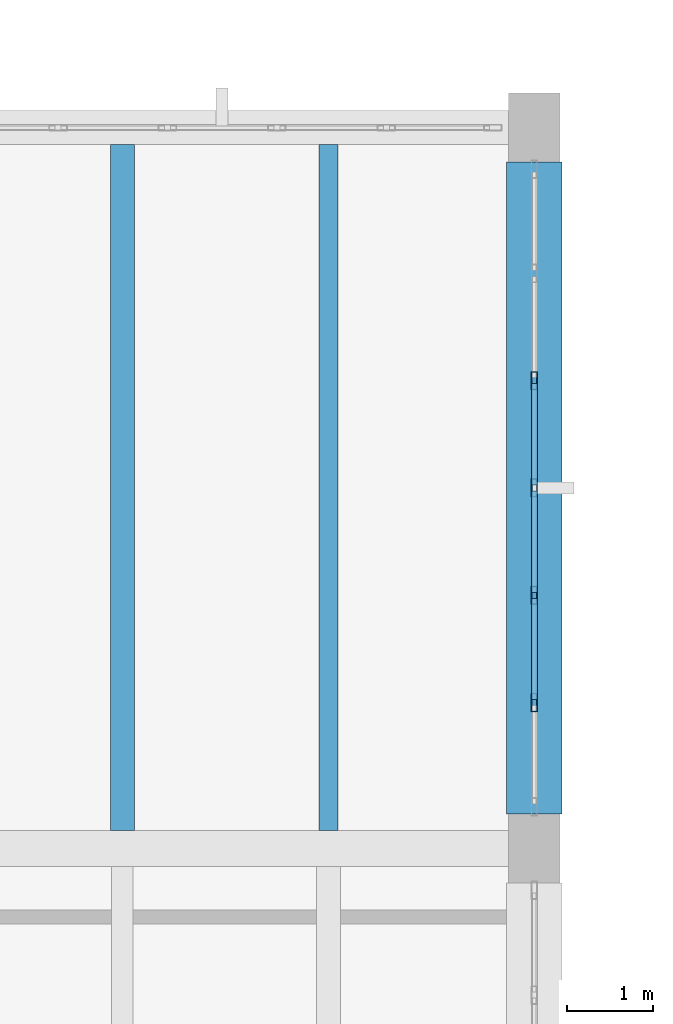
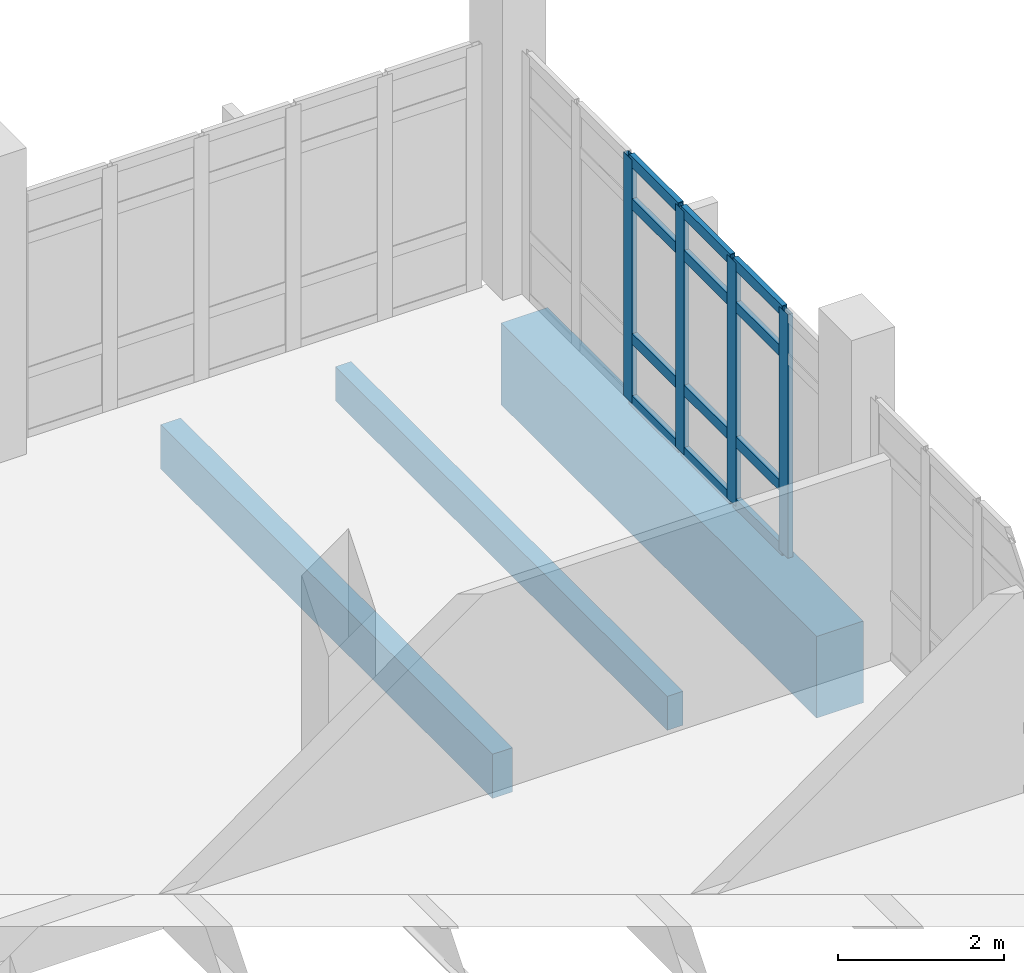
# One storey, part 77 of 124: 16 members, 3 beams, 1 element without a shape of its own.
"""IFC4 building model written with IfcOpenShell, lengths in metres."""

from ifc_helpers import new_model, si_unit, direction, frame, origin, origin_2d, place, context, subcontext, project, spatial, rectangle, hollow_rectangle, extrude, material, material_profile, profile_set, type_object, element, aggregate, save


model = new_model("IFC4")

# Units and contexts
model_context = context("Model", 3, precision=1e-05, world=origin(), true_north=direction((0.0, 1.0)))
body_context = subcontext(model_context, "Body", "Model", "MODEL_VIEW")
ifc_project = project(units=[si_unit("LENGTHUNIT", "METRE"), si_unit("AREAUNIT", "SQUARE_METRE"), si_unit("VOLUMEUNIT", "CUBIC_METRE"), si_unit("PLANEANGLEUNIT", "RADIAN"), si_unit("MASSUNIT", "GRAM", prefix="KILO")], contexts=[model_context])

# Site, building, storey
site_placement = place(None, origin())
site = spatial("IfcSite", under=ifc_project, at=site_placement, CompositionType="ELEMENT")
building_placement = place(site_placement, origin())
building = spatial("IfcBuilding", under=site, at=building_placement, Name="Kalluvel Institute of Natural Sciences", CompositionType="ELEMENT")
storey_placement = place(building_placement, frame((0.0, 0.0, 9.89990234375)))
storey = spatial("IfcBuildingStorey", under=building, at=storey_placement, Name="L02", CompositionType="ELEMENT", Elevation=9.89990234375)

# Beam
ifc_material_1 = material(Name="Concrete M50", Category="concrete")
ifc_material_profile_1 = material_profile(ifc_material_1, rectangle(XDim=0.64990234375, YDim=1.199951171875, at=origin_2d()), Name="RCB 650x1200")
ifc_profile_set_1 = profile_set([ifc_material_profile_1], Name="Concrete M50")
beam_type_1 = type_object("IfcBeamType", Name="BM-RC650x1200", PredefinedType="BEAM", material=ifc_profile_set_1)
beam_1_placement = place(storey_placement, frame((114.800048828125, 120.0, -0.919921875), z_axis=(0.0, 1.0, 0.0), x_axis=(-1.0, 0.0, 0.0)))
element("IfcBeam", 1, at=beam_1_placement, inside=storey, type_object=beam_type_1, Name="L02 girder GIR-L02-NS-X1148-Y1196", PredefinedType="BEAM", context=body_context, shape_type="SweptSolid", body=[
    extrude(rectangle(XDim=0.64990234375, YDim=1.199951171875, at=origin_2d()), origin(), (0.0, 0.0, 1.0), 7.60009765625),
])

# Curtain wall, members
ifc_material_2 = material(Name="Aluminium AW-6063 T6", Category="aluminium")
curtain_wall_type = type_object("IfcCurtainWallType", Name="CW-WET-45", PredefinedType="USERDEFINED", material=ifc_material_2)
curtain_wall_placement = place(storey_placement, origin())
curtain_wall = element("IfcCurtainWall", 2, at=curtain_wall_placement, inside=storey, type_object=curtain_wall_type, Name="L02 Gothic lancet curtain wall CWA-L02-X1148-Y1200", ObjectType="UNITISED LANCET FACADE", PredefinedType="USERDEFINED")
ifc_material_profile_2 = material_profile(ifc_material_2, hollow_rectangle(XDim=0.070068359375, YDim=0.2099609375, WallThickness=0.0048828125, at=origin_2d()), Name="CWM 70x210")
ifc_profile_set_2 = profile_set([ifc_material_profile_2], Name="Aluminium AW-6063 T6")
member_type_1 = type_object("IfcMemberType", Name="CWM-70x210", PredefinedType="MULLION", material=ifc_profile_set_2)
member_1_placement = place(storey_placement, frame((114.800048828125, 121.300048828125, 0.0), z_axis=(0.0, 0.0, 1.0), x_axis=(-1.0, 0.0, 0.0)))
member_1 = element("IfcMember", 3, at=member_1_placement, type_object=member_type_1, Name="CW-01 mullion 2", PredefinedType="MULLION", context=body_context, shape_type="SweptSolid", body=[
    extrude(hollow_rectangle(XDim=0.070068359375, YDim=0.2099609375, WallThickness=0.0048828125, at=origin_2d()), origin(), (0.0, 0.0, 1.0), 3.580078125),
])
member_2_placement = place(storey_placement, frame((114.800048828125, 122.550048828125, 0.0), z_axis=(0.0, 0.0, 1.0), x_axis=(-1.0, 0.0, 0.0)))
member_2 = element("IfcMember", 4, at=member_2_placement, type_object=member_type_1, Name="CW-01 mullion 3", PredefinedType="MULLION", context=body_context, shape_type="SweptSolid", body=[
    extrude(hollow_rectangle(XDim=0.070068359375, YDim=0.2099609375, WallThickness=0.0048828125, at=origin_2d()), origin(), (0.0, 0.0, 1.0), 3.580078125),
])
member_3_placement = place(storey_placement, frame((114.800048828125, 123.800048828125, 0.0), z_axis=(0.0, 0.0, 1.0), x_axis=(-1.0, 0.0, 0.0)))
member_3 = element("IfcMember", 5, at=member_3_placement, type_object=member_type_1, Name="CW-01 mullion 4", PredefinedType="MULLION", context=body_context, shape_type="SweptSolid", body=[
    extrude(hollow_rectangle(XDim=0.070068359375, YDim=0.2099609375, WallThickness=0.0048828125, at=origin_2d()), origin(), (0.0, 0.0, 1.0), 3.580078125),
])
member_4_placement = place(storey_placement, frame((114.800048828125, 125.050048828125, 0.0), z_axis=(0.0, 0.0, 1.0), x_axis=(-1.0, 0.0, 0.0)))
member_4 = element("IfcMember", 6, at=member_4_placement, type_object=member_type_1, Name="CW-01 mullion 5", PredefinedType="MULLION", context=body_context, shape_type="SweptSolid", body=[
    extrude(hollow_rectangle(XDim=0.070068359375, YDim=0.2099609375, WallThickness=0.0048828125, at=origin_2d()), origin(), (0.0, 0.0, 1.0), 3.580078125),
])
ifc_material_profile_3 = material_profile(ifc_material_2, hollow_rectangle(XDim=0.070068359375, YDim=0.159912109375, WallThickness=0.0048828125, at=origin_2d()), Name="CWT 70x160")
ifc_profile_set_3 = profile_set([ifc_material_profile_3], Name="Aluminium AW-6063 T6")
member_type_2 = type_object("IfcMemberType", Name="CWT-70x160", PredefinedType="USERDEFINED", material=ifc_profile_set_3)
member_5_placement = place(storey_placement, frame((114.800048828125, 121.3349609375, 0.03515625), z_axis=(0.0, 1.0, 0.0), x_axis=(-1.0, 0.0, 0.0)))
member_5 = element("IfcMember", 7, at=member_5_placement, type_object=member_type_2, Name="CW-01 transom 2.1", ObjectType="TRANSOM", PredefinedType="USERDEFINED", context=body_context, shape_type="SweptSolid", body=[
    extrude(hollow_rectangle(XDim=0.070068359375, YDim=0.159912109375, WallThickness=0.0048828125, at=origin_2d()), origin(), (0.0, 0.0, 1.0), 1.179931640625),
])
member_6_placement = place(storey_placement, frame((114.800048828125, 121.3349609375, 0.9501953125), z_axis=(0.0, 1.0, 0.0), x_axis=(-1.0, 0.0, 0.0)))
member_6 = element("IfcMember", 8, at=member_6_placement, type_object=member_type_2, Name="CW-01 transom 2.2", ObjectType="TRANSOM", PredefinedType="USERDEFINED", context=body_context, shape_type="SweptSolid", body=[
    extrude(hollow_rectangle(XDim=0.070068359375, YDim=0.159912109375, WallThickness=0.0048828125, at=origin_2d()), origin(), (0.0, 0.0, 1.0), 1.179931640625),
])
member_7_placement = place(storey_placement, frame((114.800048828125, 121.3349609375, 2.93017578125), z_axis=(0.0, 1.0, 0.0), x_axis=(-1.0, 0.0, 0.0)))
member_7 = element("IfcMember", 9, at=member_7_placement, type_object=member_type_2, Name="CW-01 transom 2.3", ObjectType="TRANSOM", PredefinedType="USERDEFINED", context=body_context, shape_type="SweptSolid", body=[
    extrude(hollow_rectangle(XDim=0.070068359375, YDim=0.159912109375, WallThickness=0.0048828125, at=origin_2d()), origin(), (0.0, 0.0, 1.0), 1.179931640625),
])
member_8_placement = place(storey_placement, frame((114.800048828125, 121.3349609375, 3.545166015625), z_axis=(0.0, 1.0, 0.0), x_axis=(-1.0, 0.0, 0.0)))
member_8 = element("IfcMember", 10, at=member_8_placement, type_object=member_type_2, Name="CW-01 transom 2.4", ObjectType="TRANSOM", PredefinedType="USERDEFINED", context=body_context, shape_type="SweptSolid", body=[
    extrude(hollow_rectangle(XDim=0.070068359375, YDim=0.159912109375, WallThickness=0.0048828125, at=origin_2d()), origin(), (0.0, 0.0, 1.0), 1.179931640625),
])
member_9_placement = place(storey_placement, frame((114.800048828125, 122.5849609375, 0.03515625), z_axis=(0.0, 1.0, 0.0), x_axis=(-1.0, 0.0, 0.0)))
member_9 = element("IfcMember", 11, at=member_9_placement, type_object=member_type_2, Name="CW-01 transom 3.1", ObjectType="TRANSOM", PredefinedType="USERDEFINED", context=body_context, shape_type="SweptSolid", body=[
    extrude(hollow_rectangle(XDim=0.070068359375, YDim=0.159912109375, WallThickness=0.0048828125, at=origin_2d()), origin(), (0.0, 0.0, 1.0), 1.179931640625),
])
member_10_placement = place(storey_placement, frame((114.800048828125, 122.5849609375, 0.9501953125), z_axis=(0.0, 1.0, 0.0), x_axis=(-1.0, 0.0, 0.0)))
member_10 = element("IfcMember", 12, at=member_10_placement, type_object=member_type_2, Name="CW-01 transom 3.2", ObjectType="TRANSOM", PredefinedType="USERDEFINED", context=body_context, shape_type="SweptSolid", body=[
    extrude(hollow_rectangle(XDim=0.070068359375, YDim=0.159912109375, WallThickness=0.0048828125, at=origin_2d()), origin(), (0.0, 0.0, 1.0), 1.179931640625),
])
member_11_placement = place(storey_placement, frame((114.800048828125, 122.5849609375, 2.93017578125), z_axis=(0.0, 1.0, 0.0), x_axis=(-1.0, 0.0, 0.0)))
member_11 = element("IfcMember", 13, at=member_11_placement, type_object=member_type_2, Name="CW-01 transom 3.3", ObjectType="TRANSOM", PredefinedType="USERDEFINED", context=body_context, shape_type="SweptSolid", body=[
    extrude(hollow_rectangle(XDim=0.070068359375, YDim=0.159912109375, WallThickness=0.0048828125, at=origin_2d()), origin(), (0.0, 0.0, 1.0), 1.179931640625),
])
member_12_placement = place(storey_placement, frame((114.800048828125, 122.5849609375, 3.545166015625), z_axis=(0.0, 1.0, 0.0), x_axis=(-1.0, 0.0, 0.0)))
member_12 = element("IfcMember", 14, at=member_12_placement, type_object=member_type_2, Name="CW-01 transom 3.4", ObjectType="TRANSOM", PredefinedType="USERDEFINED", context=body_context, shape_type="SweptSolid", body=[
    extrude(hollow_rectangle(XDim=0.070068359375, YDim=0.159912109375, WallThickness=0.0048828125, at=origin_2d()), origin(), (0.0, 0.0, 1.0), 1.179931640625),
])
member_13_placement = place(storey_placement, frame((114.800048828125, 123.8349609375, 0.03515625), z_axis=(0.0, 1.0, 0.0), x_axis=(-1.0, 0.0, 0.0)))
member_13 = element("IfcMember", 15, at=member_13_placement, type_object=member_type_2, Name="CW-01 transom 4.1", ObjectType="TRANSOM", PredefinedType="USERDEFINED", context=body_context, shape_type="SweptSolid", body=[
    extrude(hollow_rectangle(XDim=0.070068359375, YDim=0.159912109375, WallThickness=0.0048828125, at=origin_2d()), origin(), (0.0, 0.0, 1.0), 1.179931640625),
])
member_14_placement = place(storey_placement, frame((114.800048828125, 123.8349609375, 0.9501953125), z_axis=(0.0, 1.0, 0.0), x_axis=(-1.0, 0.0, 0.0)))
member_14 = element("IfcMember", 16, at=member_14_placement, type_object=member_type_2, Name="CW-01 transom 4.2", ObjectType="TRANSOM", PredefinedType="USERDEFINED", context=body_context, shape_type="SweptSolid", body=[
    extrude(hollow_rectangle(XDim=0.070068359375, YDim=0.159912109375, WallThickness=0.0048828125, at=origin_2d()), origin(), (0.0, 0.0, 1.0), 1.179931640625),
])
member_15_placement = place(storey_placement, frame((114.800048828125, 123.8349609375, 2.93017578125), z_axis=(0.0, 1.0, 0.0), x_axis=(-1.0, 0.0, 0.0)))
member_15 = element("IfcMember", 17, at=member_15_placement, type_object=member_type_2, Name="CW-01 transom 4.3", ObjectType="TRANSOM", PredefinedType="USERDEFINED", context=body_context, shape_type="SweptSolid", body=[
    extrude(hollow_rectangle(XDim=0.070068359375, YDim=0.159912109375, WallThickness=0.0048828125, at=origin_2d()), origin(), (0.0, 0.0, 1.0), 1.179931640625),
])
member_16_placement = place(storey_placement, frame((114.800048828125, 123.8349609375, 3.545166015625), z_axis=(0.0, 1.0, 0.0), x_axis=(-1.0, 0.0, 0.0)))
member_16 = element("IfcMember", 18, at=member_16_placement, type_object=member_type_2, Name="CW-01 transom 4.4", ObjectType="TRANSOM", PredefinedType="USERDEFINED", context=body_context, shape_type="SweptSolid", body=[
    extrude(hollow_rectangle(XDim=0.070068359375, YDim=0.159912109375, WallThickness=0.0048828125, at=origin_2d()), origin(), (0.0, 0.0, 1.0), 1.179931640625),
])
aggregate(curtain_wall, [member_1, member_2, member_3, member_4, member_5, member_6, member_7, member_8, member_9, member_10, member_11, member_12, member_13, member_14, member_15, member_16])

# Beams
ifc_material_3 = material(Name="Concrete M40", Category="concrete")
ifc_material_profile_4 = material_profile(ifc_material_3, rectangle(XDim=0.219970703125, YDim=0.5, at=origin_2d()), Name="WAF 220x500")
ifc_profile_set_4 = profile_set([ifc_material_profile_4], Name="Concrete M40")
beam_type_2 = type_object("IfcBeamType", Name="WJ-220x500", PredefinedType="JOIST", material=ifc_profile_set_4)
beam_2_placement = place(storey_placement, frame((112.39990234375, 119.81005859375, -0.56982421875), z_axis=(0.0, 1.0, 0.0), x_axis=(-1.0, 0.0, 0.0)))
element("IfcBeam", 19, at=beam_2_placement, inside=storey, type_object=beam_type_2, Name="L02 waffle joist RIB-L02-0217", PredefinedType="JOIST", context=body_context, shape_type="SweptSolid", body=[
    extrude(rectangle(XDim=0.219970703125, YDim=0.5, at=origin_2d()), origin(), (0.0, 0.0, 1.0), 7.989990234375),
])
ifc_material_profile_5 = material_profile(ifc_material_1, rectangle(XDim=0.280029296875, YDim=0.64990234375, at=origin_2d()), Name="WAF 280x650")
ifc_profile_set_5 = profile_set([ifc_material_profile_5], Name="Concrete M50")
beam_type_3 = type_object("IfcBeamType", Name="WJ-280x650", PredefinedType="JOIST", material=ifc_profile_set_5)
beam_3_placement = place(storey_placement, frame((110.0, 119.81005859375, -0.64501953125), z_axis=(0.0, 1.0, 0.0), x_axis=(-1.0, 0.0, 0.0)))
element("IfcBeam", 20, at=beam_3_placement, inside=storey, type_object=beam_type_3, Name="L02 waffle joist RIB-L02-0216", PredefinedType="JOIST", context=body_context, shape_type="SweptSolid", body=[
    extrude(rectangle(XDim=0.280029296875, YDim=0.64990234375, at=origin_2d()), origin(), (0.0, 0.0, 1.0), 7.989990234375),
])

save(model, "model.ifc")
